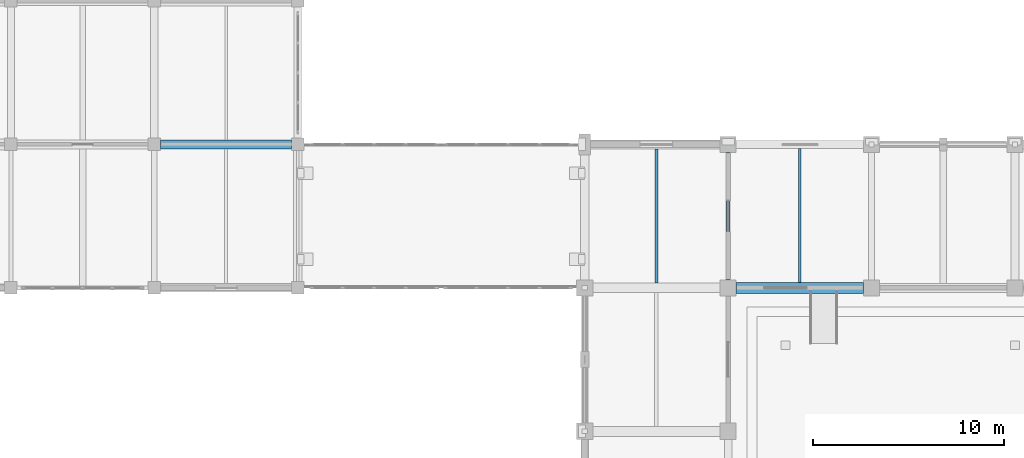
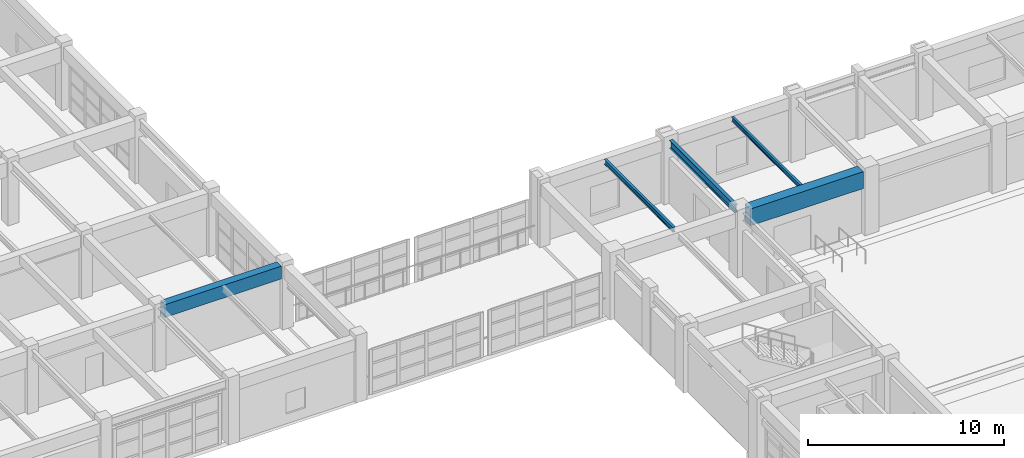
# One storey, part 49 of 132: 5 beams.
"""IFC4 building model written with IfcOpenShell, lengths in metres."""

from ifc_helpers import new_model, si_unit, direction, frame, origin, origin_2d, place, context, subcontext, project, spatial, rectangle, i_section, extrude, material, material_profile, profile_set, type_object, element, save


model = new_model("IFC4")

# Units and contexts
model_context = context("Model", 3, precision=1e-05, world=origin(), true_north=direction((0.0, 1.0)))
body_context = subcontext(model_context, "Body", "Model", "MODEL_VIEW")
ifc_project = project(units=[si_unit("LENGTHUNIT", "METRE"), si_unit("AREAUNIT", "SQUARE_METRE"), si_unit("VOLUMEUNIT", "CUBIC_METRE"), si_unit("PLANEANGLEUNIT", "RADIAN"), si_unit("MASSUNIT", "GRAM", prefix="KILO")], contexts=[model_context])

# Site, building, storey
site_placement = place(None, origin())
site = spatial("IfcSite", under=ifc_project, at=site_placement, CompositionType="ELEMENT")
building_placement = place(site_placement, origin())
building = spatial("IfcBuilding", under=site, at=building_placement, Name="Qasida Concert Hall", CompositionType="ELEMENT")
storey_placement = place(building_placement, frame((0.0, 0.0, 4.800048828125)))
storey = spatial("IfcBuildingStorey", under=building, at=storey_placement, Name="L01", CompositionType="ELEMENT", Elevation=4.800048828125)

# Beams
ifc_material_1 = material(Name="Steel S355J2", Category="steel")
ifc_material_profile_1 = material_profile(ifc_material_1, i_section(OverallWidth=0.199951171875, OverallDepth=0.5, WebThickness=0.01025390625, FlangeThickness=0.01611328125, FilletRadius=0.02099609375, at=origin_2d()), Name="IPE 500")
ifc_profile_set_1 = profile_set([ifc_material_profile_1], Name="Steel S355J2")
beam_type_1 = type_object("IfcBeamType", Name="BM-B4", PredefinedType="BEAM", material=ifc_profile_set_1)
beam_1_placement = place(storey_placement, frame((60.0, 75.425048828125, 3.669921875), z_axis=(0.0, 1.0, 0.0), x_axis=(-1.0, 0.0, 0.0)))
element("IfcBeam", 1, at=beam_1_placement, inside=storey, type_object=beam_type_1, Name="L01 girder 0809", PredefinedType="BEAM", context=body_context, shape_type="SweptSolid", body=[
    extrude(i_section(OverallWidth=0.199951171875, OverallDepth=0.5, WebThickness=0.01025390625, FlangeThickness=0.01611328125, FilletRadius=0.02099609375, at=origin_2d()), origin(), (0.0, 0.0, 1.0), 6.64990234375),
])
ifc_material_2 = material(Name="Concrete C40/50", Category="concrete")
ifc_material_profile_2 = material_profile(ifc_material_2, rectangle(XDim=0.449951171875, YDim=0.800048828125, at=origin_2d()), Name="RC 450x800")
ifc_profile_set_2 = profile_set([ifc_material_profile_2], Name="Concrete C40/50")
beam_type_2 = type_object("IfcBeamType", Name="BM-G2", PredefinedType="USERDEFINED", material=ifc_profile_set_2)
beam_2_placement = place(storey_placement, frame((30.324951171875, 82.5, 3.52001953125), z_axis=(1.0, 0.0, 0.0), x_axis=(0.0, 1.0, 0.0)))
element("IfcBeam", 2, at=beam_2_placement, inside=storey, type_object=beam_type_2, Name="Primary girder 1072", ObjectType="GIRDER", PredefinedType="USERDEFINED", context=body_context, shape_type="SweptSolid", body=[
    extrude(rectangle(XDim=0.449951171875, YDim=0.800048828125, at=origin_2d()), origin(), (0.0, 0.0, 1.0), 6.85009765625),
])
ifc_material_3 = material(Name="Concrete C50/60", Category="concrete")
ifc_material_profile_3 = material_profile(ifc_material_3, rectangle(XDim=0.580078125, YDim=1.050048828125, at=origin_2d()), Name="RC 580x1050")
ifc_profile_set_3 = profile_set([ifc_material_profile_3], Name="Concrete C50/60")
beam_type_3 = type_object("IfcBeamType", Name="BM-G8", PredefinedType="USERDEFINED", material=ifc_profile_set_3)
beam_3_placement = place(storey_placement, frame((60.425048828125, 75.0, 3.39501953125), z_axis=(1.0, 0.0, 0.0), x_axis=(0.0, 1.0, 0.0)))
element("IfcBeam", 3, at=beam_3_placement, inside=storey, type_object=beam_type_3, Name="Primary girder 0785", ObjectType="GIRDER", PredefinedType="USERDEFINED", context=body_context, shape_type="SweptSolid", body=[
    extrude(rectangle(XDim=0.580078125, YDim=1.050048828125, at=origin_2d()), origin(), (0.0, 0.0, 1.0), 6.64990234375),
])
ifc_material_profile_4 = material_profile(ifc_material_1, i_section(OverallWidth=0.14990234375, OverallDepth=0.300048828125, WebThickness=0.007080078125, FlangeThickness=0.0107421875, FilletRadius=0.014892578125, at=origin_2d()), Name="IPE 300")
ifc_profile_set_4 = profile_set([ifc_material_profile_4], Name="Steel S355J2")
beam_type_4 = type_object("IfcBeamType", Name="BM-J4", PredefinedType="JOIST", material=ifc_profile_set_4)
beam_4_placement = place(storey_placement, frame((56.25, 75.25, 3.77001953125), z_axis=(0.0, 1.0, 0.0), x_axis=(-1.0, 0.0, 0.0)))
element("IfcBeam", 4, at=beam_4_placement, inside=storey, type_object=beam_type_4, Name="L01 secondary joist 0835", PredefinedType="JOIST", context=body_context, shape_type="SweptSolid", body=[
    extrude(i_section(OverallWidth=0.14990234375, OverallDepth=0.300048828125, WebThickness=0.007080078125, FlangeThickness=0.0107421875, FilletRadius=0.014892578125, at=origin_2d()), origin(), (0.0, 0.0, 1.0), 7.02490234375),
])
ifc_material_profile_5 = material_profile(ifc_material_1, i_section(OverallWidth=0.135009765625, OverallDepth=0.27001953125, WebThickness=0.006591796875, FlangeThickness=0.01025390625, FilletRadius=0.014892578125, at=origin_2d()), Name="IPE 270")
ifc_profile_set_5 = profile_set([ifc_material_profile_5], Name="Steel S355J2")
beam_type_5 = type_object("IfcBeamType", Name="BM-J6", PredefinedType="JOIST", material=ifc_profile_set_5)
beam_5_placement = place(storey_placement, frame((63.75, 75.2900390625, 3.784912109375), z_axis=(0.0, 1.0, 0.0), x_axis=(-1.0, 0.0, 0.0)))
element("IfcBeam", 5, at=beam_5_placement, inside=storey, type_object=beam_type_5, Name="L01 secondary joist 0837", PredefinedType="JOIST", context=body_context, shape_type="SweptSolid", body=[
    extrude(i_section(OverallWidth=0.135009765625, OverallDepth=0.27001953125, WebThickness=0.006591796875, FlangeThickness=0.01025390625, FilletRadius=0.014892578125, at=origin_2d()), origin(), (0.0, 0.0, 1.0), 7.010009765625),
])

save(model, "model.ifc")
